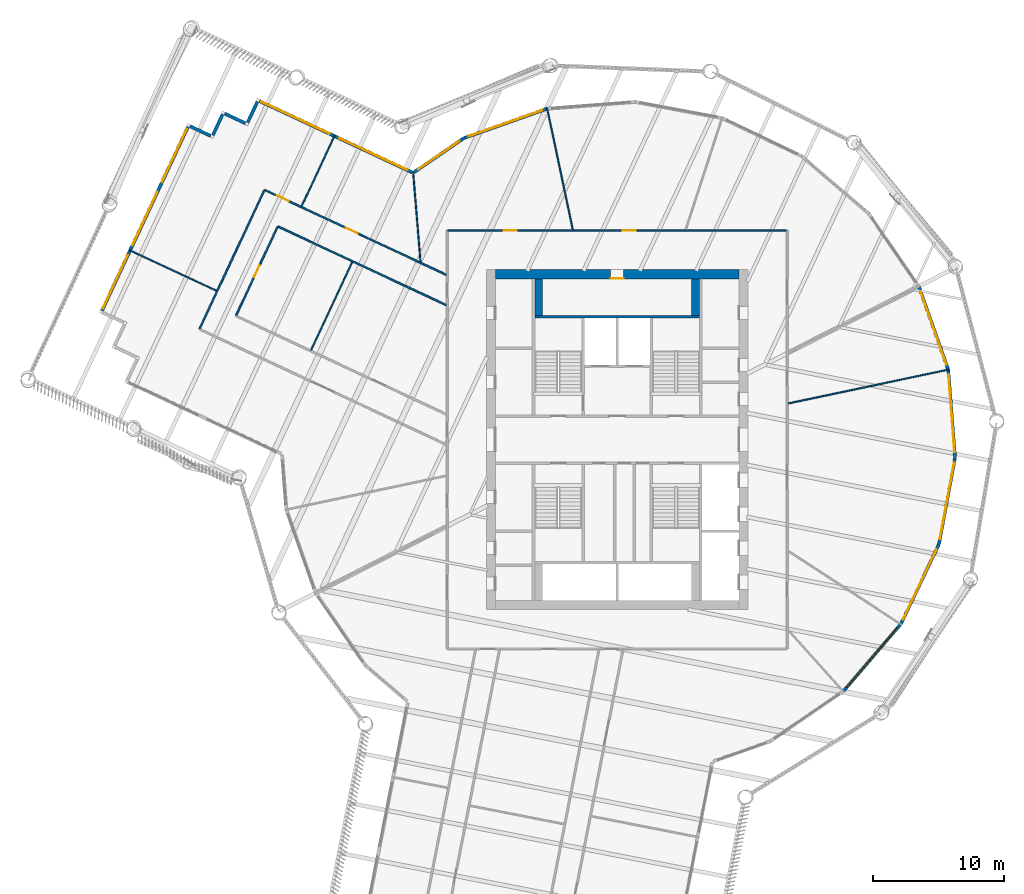
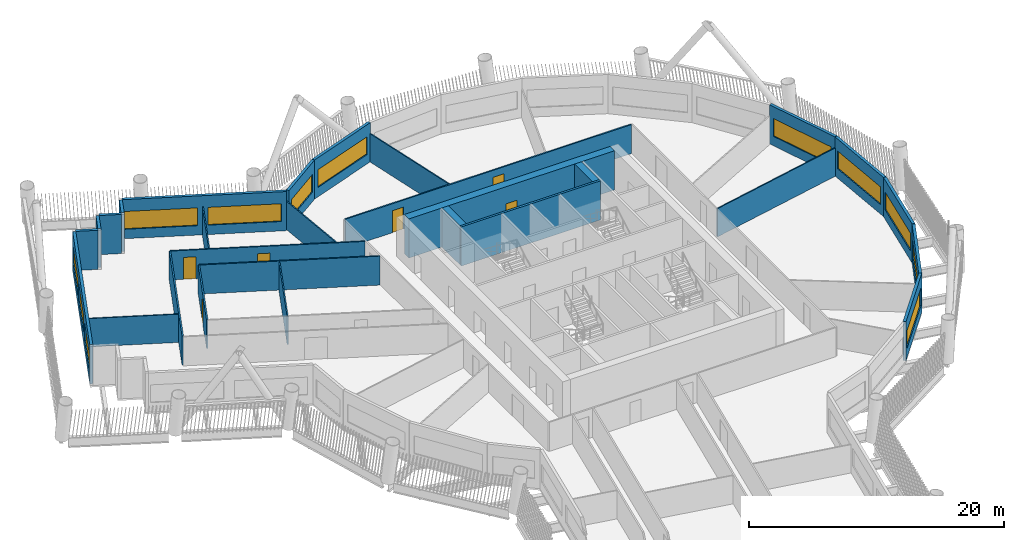
# One storey, part 6 of 24: 28 walls, 12 windows, 6 doors, 18 openings.
"""IFC4 building model written with IfcOpenShell, lengths in metres."""

from ifc_helpers import new_model, si_unit, direction, frame, frame_2d, origin, place, context, subcontext, project, spatial, rectangle, extrude, material, layer, layer_set, type_object, element, fill, save


model = new_model("IFC4")

# Units and contexts
model_context = context("Model", 3, precision=1e-05, world=origin(), true_north=direction((0.0, 1.0)))
body_context = subcontext(model_context, "Body", "Model", "MODEL_VIEW")
ifc_project = project(units=[si_unit("LENGTHUNIT", "METRE"), si_unit("AREAUNIT", "SQUARE_METRE"), si_unit("VOLUMEUNIT", "CUBIC_METRE"), si_unit("PLANEANGLEUNIT", "RADIAN"), si_unit("MASSUNIT", "GRAM", prefix="KILO")], contexts=[model_context])

# Site, building, storey
site_placement = place(None, origin())
site = spatial("IfcSite", under=ifc_project, at=site_placement, CompositionType="ELEMENT")
building_placement = place(site_placement, origin())
building = spatial("IfcBuilding", under=site, at=building_placement, Name="Tarsis Ring Headquarters", CompositionType="ELEMENT")
storey_placement = place(building_placement, frame((0.0, 0.0, 178.800048828125)))
storey = spatial("IfcBuildingStorey", under=building, at=storey_placement, Name="L41", CompositionType="ELEMENT", Elevation=178.800048828125)

# Wall, opening, door
ifc_material_1 = material(Name="Concrete C60/75", Category="concrete")
ifc_layer_1 = layer(ifc_material_1, 0.699951171875)
ifc_layer_set_1 = layer_set([ifc_layer_1], Name="Core wall 700 C60/75")
wall_type_1 = type_object("IfcWallType", Name="Core wall 700 C60/75", PredefinedType="SHEAR", material=ifc_layer_set_1)
wall_1_placement = place(storey_placement, frame((-9.300048828125, 12.64990234375, 0.0), z_axis=(0.0, 0.0, 1.0), x_axis=(1.0, 0.0, 0.0)))
wall_1 = element("IfcWall", 1, at=wall_1_placement, inside=storey, type_object=wall_type_1, Name="Core wall ON", PredefinedType="SHEAR", context=body_context, shape_type="SweptSolid", body=[
    extrude(rectangle(XDim=18.60009765625, YDim=0.699951171875, at=frame_2d((9.300048828125, 0.0))), origin(), (0.0, 0.0, 1.0), 3.739990234375),
])
opening_1_placement = place(wall_1_placement, frame((8.800048828125, 0.0, 0.0)))
opening_1 = element("IfcOpeningElement", 2, at=opening_1_placement, cuts=wall_1, Name="Opening L41-C15", PredefinedType="OPENING", context=body_context, shape_type="SweptSolid", body=[
    extrude(rectangle(XDim=1.0, YDim=2.10009765625, at=frame_2d((0.5, 1.050048828125))), frame((0.0, 0.35986328125, 0.0), z_axis=(0.0, -1.0, 0.0), x_axis=(1.0, 0.0, 0.0)), (0.0, 0.0, 1.0), 0.719970703125),
])
ifc_material_2 = material(Name="Steel S355", Category="steel")
door_type_1 = type_object("IfcDoorType", Name="Core room door 1000x2100", OperationType="SINGLE_SWING_LEFT", PredefinedType="DOOR", material=ifc_material_2)
door_1_placement = place(opening_1_placement, origin())
door_1 = element("IfcDoor", 3, at=door_1_placement, inside=storey, type_object=door_type_1, Name="Core room door L41", OperationType="SINGLE_SWING_LEFT", OverallHeight=2.10009765625, OverallWidth=1.0, PredefinedType="DOOR", context=body_context, shape_type="SweptSolid", body=[
    extrude(rectangle(XDim=1.0, YDim=2.10009765625, at=frame_2d((0.5, 1.050048828125))), frame((0.0, -0.2998046875, 0.0), z_axis=(0.0, -1.0, 0.0), x_axis=(1.0, 0.0, 0.0)), (0.0, 0.0, 1.0), 0.050048828125),
])
fill(opening_1, door_1)

# Walls
ifc_material_3 = material(Name="Gypsum board on steel studs", Category="steel")
ifc_layer_2 = layer(ifc_material_3, 0.10009765625)
ifc_layer_set_2 = layer_set([ifc_layer_2], Name="FL partition 100 unrated")
wall_type_2 = type_object("IfcWallType", Name="FL partition 100 unrated", PredefinedType="PARTITIONING", material=ifc_layer_set_2)
wall_2_placement = place(storey_placement, frame((13.068603515625, 2.763427734375, 0.0), z_axis=(0.0, 0.0, 1.0), x_axis=(0.978361329404, 0.2069036228, 0.0)))
element("IfcWall", 4, at=wall_2_placement, inside=storey, type_object=wall_type_2, Name="Partition PW3", PredefinedType="PARTITIONING", context=body_context, shape_type="SweptSolid", body=[
    extrude(rectangle(XDim=12.59033203125, YDim=0.10009765625, at=frame_2d((6.295166015625, 0.0))), origin(), (0.0, 0.0, 1.0), 2.699951171875),
])
wall_3_placement = place(storey_placement, frame((-5.368408203125, 25.386474609375, 0.0), z_axis=(0.0, 0.0, 1.0), x_axis=(0.20689536208, -0.978363076342, 0.0)))
element("IfcWall", 5, at=wall_3_placement, inside=storey, type_object=wall_type_2, Name="Partition PW3", PredefinedType="PARTITIONING", context=body_context, shape_type="SweptSolid", body=[
    extrude(rectangle(XDim=9.52392578125, YDim=0.10009765625, at=frame_2d((4.761962890625, 0.0))), origin(), (0.0, 0.0, 1.0), 2.699951171875),
])
wall_4_placement = place(storey_placement, frame((-23.40283203125, 6.84716796875, 0.0), z_axis=(0.0, 0.0, 1.0), x_axis=(0.42356623141, 0.905865137649, 0.0)))
element("IfcWall", 6, at=wall_4_placement, inside=storey, type_object=wall_type_2, Name="Partition PW3", PredefinedType="PARTITIONING", context=body_context, shape_type="SweptSolid", body=[
    extrude(rectangle(XDim=7.419921875, YDim=0.10009765625, at=frame_2d((3.7099609375, 0.0))), origin(), (0.0, 0.0, 1.0), 2.699951171875),
])
wall_5_placement = place(storey_placement, frame((-37.3203125, 14.502685546875, 0.0), z_axis=(0.0, 0.0, 1.0), x_axis=(0.905880369528, -0.423533654039, 0.0)))
element("IfcWall", 7, at=wall_5_placement, inside=storey, type_object=wall_type_2, Name="Partition PW3", PredefinedType="PARTITIONING", context=body_context, shape_type="SweptSolid", body=[
    extrude(rectangle(XDim=7.35986328125, YDim=0.10009765625, at=frame_2d((3.679931640625, 0.0))), origin(), (0.0, 0.0, 1.0), 2.699951171875),
])
wall_6_placement = place(storey_placement, frame((-15.605224609375, 20.4609375, 0.0), z_axis=(0.0, 0.0, 1.0), x_axis=(0.081757463051, -0.996652254919, 0.0)))
element("IfcWall", 8, at=wall_6_placement, inside=storey, type_object=wall_type_2, Name="Partition PW3", PredefinedType="PARTITIONING", context=body_context, shape_type="SweptSolid", body=[
    extrude(rectangle(XDim=6.87109375, YDim=0.10009765625, at=frame_2d((3.435546875, 0.0))), origin(), (0.0, 0.0, 1.0), 2.699951171875),
])
wall_7_placement = place(storey_placement, frame((-24.13037109375, 17.851318359375, 0.0), z_axis=(0.0, 0.0, 1.0), x_axis=(0.423589255606, 0.905854371594, 0.0)))
element("IfcWall", 9, at=wall_7_placement, inside=storey, type_object=wall_type_2, Name="Partition PW3", PredefinedType="PARTITIONING", context=body_context, shape_type="SweptSolid", body=[
    extrude(rectangle(XDim=6.0, YDim=0.10009765625, at=frame_2d((3.0, 0.0))), origin(), (0.0, 0.0, 1.0), 2.699951171875),
])

# Wall, openings, doors
ifc_layer_3 = layer(ifc_material_3, 0.125)
ifc_layer_set_3 = layer_set([ifc_layer_3], Name="FL partition 125 EI 60 H2770")
wall_type_3 = type_object("IfcWallType", Name="FL partition 125 EI 60 H2770", PredefinedType="PARTITIONING", material=ifc_layer_set_3)
wall_8_placement = place(storey_placement, frame((-12.93994140625, 16.0, 0.0), z_axis=(0.0, 0.0, 1.0), x_axis=(1.0, 0.0, 0.0)))
wall_8 = element("IfcWall", 10, at=wall_8_placement, inside=storey, type_object=wall_type_3, Name="Partition PW1", PredefinedType="PARTITIONING", context=body_context, shape_type="SweptSolid", body=[
    extrude(rectangle(XDim=25.8798828125, YDim=0.125, at=frame_2d((12.93994140625, 0.0))), origin(), (0.0, 0.0, 1.0), 2.77001953125),
])
opening_2_placement = place(wall_8_placement, frame((4.248291015625, 0.0, 0.0)))
opening_2 = element("IfcOpeningElement", 11, at=opening_2_placement, cuts=wall_8, Name="Opening D41.04", PredefinedType="OPENING", context=body_context, shape_type="SweptSolid", body=[
    extrude(rectangle(XDim=1.0, YDim=2.10009765625, at=frame_2d((0.5, 1.050048828125))), frame((0.0, 0.072509765625, 0.0), z_axis=(0.0, -1.0, 0.0), x_axis=(1.0, 0.0, 0.0)), (0.0, 0.0, 1.0), 0.14501953125),
])
opening_3_placement = place(wall_8_placement, frame((13.35693359375, 0.0, 0.0)))
opening_3 = element("IfcOpeningElement", 12, at=opening_3_placement, cuts=wall_8, Name="Opening D41.05", PredefinedType="OPENING", context=body_context, shape_type="SweptSolid", body=[
    extrude(rectangle(XDim=1.0, YDim=2.10009765625, at=frame_2d((0.5, 1.050048828125))), frame((0.0, 0.072509765625, 0.0), z_axis=(0.0, -1.0, 0.0), x_axis=(1.0, 0.0, 0.0)), (0.0, 0.0, 1.0), 0.14501953125),
])
ifc_material_4 = material(Name="Fire-rated timber door leaf in steel frame", Category="steel")
door_type_2 = type_object("IfcDoorType", Name="FL door FD60-1000", OperationType="NOTDEFINED", PredefinedType="DOOR", material=ifc_material_4)
door_2_placement = place(opening_2_placement, origin())
door_2 = element("IfcDoor", 13, at=door_2_placement, inside=storey, type_object=door_type_2, Name="Door D41.04", OperationType="SINGLE_SWING_LEFT", OverallHeight=2.10009765625, OverallWidth=1.0, PredefinedType="DOOR", context=body_context, shape_type="SweptSolid", body=[
    extrude(rectangle(XDim=1.0, YDim=2.10009765625, at=frame_2d((0.5, 1.050048828125))), frame((0.0, 0.02490234375, 0.0), z_axis=(0.0, -1.0, 0.0), x_axis=(1.0, 0.0, 0.0)), (0.0, 0.0, 1.0), 0.050048828125),
])
fill(opening_2, door_2)
door_3_placement = place(opening_3_placement, origin())
door_3 = element("IfcDoor", 14, at=door_3_placement, inside=storey, type_object=door_type_2, Name="Door D41.05", OperationType="SINGLE_SWING_RIGHT", OverallHeight=2.10009765625, OverallWidth=1.0, PredefinedType="DOOR", context=body_context, shape_type="SweptSolid", body=[
    extrude(rectangle(XDim=1.0, YDim=2.10009765625, at=frame_2d((0.5, 1.050048828125))), frame((0.0, 0.02490234375, 0.0), z_axis=(0.0, -1.0, 0.0), x_axis=(1.0, 0.0, 0.0)), (0.0, 0.0, 1.0), 0.050048828125),
])
fill(opening_3, door_3)

wall_9_placement = place(storey_placement, frame((-26.968017578125, 19.100830078125, 0.0), z_axis=(0.0, 0.0, 1.0), x_axis=(0.905862671889, -0.4235715048, 0.0)))
wall_9 = element("IfcWall", 15, at=wall_9_placement, inside=storey, type_object=wall_type_3, Name="Partition PW1", PredefinedType="PARTITIONING", context=body_context, shape_type="SweptSolid", body=[
    extrude(rectangle(XDim=15.32958984375, YDim=0.125, at=frame_2d((7.664794921875, 0.0))), origin(), (0.0, 0.0, 1.0), 2.77001953125),
])
opening_4_placement = place(wall_9_placement, frame((1.0478515625, 0.0, 0.0)))
opening_4 = element("IfcOpeningElement", 16, at=opening_4_placement, cuts=wall_9, Name="Opening D41.02", PredefinedType="OPENING", context=body_context, shape_type="SweptSolid", body=[
    extrude(rectangle(XDim=1.0, YDim=2.10009765625, at=frame_2d((0.5, 1.050048828125))), frame((0.0, 0.072509765625, 0.0), z_axis=(0.0, -1.0, 0.0), x_axis=(1.0, 0.0, 0.0)), (0.0, 0.0, 1.0), 0.14501953125),
])
opening_5_placement = place(wall_9_placement, frame((6.86328125, 0.0, 0.0)))
opening_5 = element("IfcOpeningElement", 17, at=opening_5_placement, cuts=wall_9, Name="Opening D41.03", PredefinedType="OPENING", context=body_context, shape_type="SweptSolid", body=[
    extrude(rectangle(XDim=1.0, YDim=2.10009765625, at=frame_2d((0.5, 1.050048828125))), frame((0.0, 0.072509765625, 0.0), z_axis=(0.0, -1.0, 0.0), x_axis=(1.0, 0.0, 0.0)), (0.0, 0.0, 1.0), 0.14501953125),
])
door_4_placement = place(opening_4_placement, origin())
door_4 = element("IfcDoor", 18, at=door_4_placement, inside=storey, type_object=door_type_2, Name="Door D41.02", OperationType="SINGLE_SWING_LEFT", OverallHeight=2.10009765625, OverallWidth=1.0, PredefinedType="DOOR", context=body_context, shape_type="SweptSolid", body=[
    extrude(rectangle(XDim=1.0, YDim=2.10009765625, at=frame_2d((0.5, 1.050048828125))), frame((0.0, 0.02490234375, 0.0), z_axis=(0.0, -1.0, 0.0), x_axis=(1.0, 0.0, 0.0)), (0.0, 0.0, 1.0), 0.050048828125),
])
fill(opening_4, door_4)
door_5_placement = place(opening_5_placement, origin())
door_5 = element("IfcDoor", 19, at=door_5_placement, inside=storey, type_object=door_type_2, Name="Door D41.03", OperationType="SINGLE_SWING_RIGHT", OverallHeight=2.10009765625, OverallWidth=1.0, PredefinedType="DOOR", context=body_context, shape_type="SweptSolid", body=[
    extrude(rectangle(XDim=1.0, YDim=2.10009765625, at=frame_2d((0.5, 1.050048828125))), frame((0.0, 0.02490234375, 0.0), z_axis=(0.0, -1.0, 0.0), x_axis=(1.0, 0.0, 0.0)), (0.0, 0.0, 1.0), 0.050048828125),
])
fill(opening_5, door_5)

# Walls
wall_10_placement = place(storey_placement, frame((-25.955322265625, 16.30908203125, 0.0), z_axis=(0.0, 0.0, 1.0), x_axis=(0.90586557507, -0.423565295915, 0.0)))
element("IfcWall", 20, at=wall_10_placement, inside=storey, type_object=wall_type_3, Name="Partition PW1", PredefinedType="PARTITIONING", context=body_context, shape_type="SweptSolid", body=[
    extrude(rectangle(XDim=14.211669921875, YDim=0.125, at=frame_2d((7.10595703125, 0.0))), origin(), (0.0, 0.0, 1.0), 2.77001953125),
])
wall_11_placement = place(storey_placement, frame((-31.923828125, 8.502197265625, 0.0), z_axis=(0.0, 0.0, 1.0), x_axis=(0.423559365173, 0.905868348147, 0.0)))
element("IfcWall", 21, at=wall_11_placement, inside=storey, type_object=wall_type_3, Name="Partition PW1", PredefinedType="PARTITIONING", context=body_context, shape_type="SweptSolid", body=[
    extrude(rectangle(XDim=11.639892578125, YDim=0.125, at=frame_2d((5.81982421875, 0.0))), origin(), (0.0, 0.0, 1.0), 2.77001953125),
])

# Wall, opening, door
wall_12_placement = place(storey_placement, frame((-29.132080078125, 9.51513671875, 0.0), z_axis=(0.0, 0.0, 1.0), x_axis=(0.423576973735, 0.905860114654, 0.0)))
wall_12 = element("IfcWall", 22, at=wall_12_placement, inside=storey, type_object=wall_type_3, Name="Partition PW1", PredefinedType="PARTITIONING", context=body_context, shape_type="SweptSolid", body=[
    extrude(rectangle(XDim=7.43994140625, YDim=0.125, at=frame_2d((3.719970703125, 0.0))), origin(), (0.0, 0.0, 1.0), 2.77001953125),
])
opening_6_placement = place(wall_12_placement, frame((3.219970703125, 0.0, 0.0)))
opening_6 = element("IfcOpeningElement", 23, at=opening_6_placement, cuts=wall_12, Name="Opening D41.18", PredefinedType="OPENING", context=body_context, shape_type="SweptSolid", body=[
    extrude(rectangle(XDim=1.0, YDim=2.10009765625, at=frame_2d((0.5, 1.050048828125))), frame((0.0, 0.072509765625, 0.0), z_axis=(0.0, -1.0, 0.0), x_axis=(1.0, 0.0, 0.0)), (0.0, 0.0, 1.0), 0.14501953125),
])
door_6_placement = place(opening_6_placement, origin())
door_6 = element("IfcDoor", 24, at=door_6_placement, inside=storey, type_object=door_type_2, Name="Door D41.18", OperationType="SINGLE_SWING_LEFT", OverallHeight=2.10009765625, OverallWidth=1.0, PredefinedType="DOOR", context=body_context, shape_type="SweptSolid", body=[
    extrude(rectangle(XDim=1.0, YDim=2.10009765625, at=frame_2d((0.5, 1.050048828125))), frame((0.0, 0.02490234375, 0.0), z_axis=(0.0, -1.0, 0.0), x_axis=(1.0, 0.0, 0.0)), (0.0, 0.0, 1.0), 0.050048828125),
])
fill(opening_6, door_6)

# Wall, opening, window
ifc_material_5 = material(Name="Terracotta clad insulated panel wall", Category="masonry")
ifc_layer_4 = layer(ifc_material_5, 0.25)
ifc_layer_set_4 = layer_set([ifc_layer_4], Name="Facade wall terracotta panel 250")
wall_type_4 = type_object("IfcWallType", Name="Facade wall terracotta panel 250", PredefinedType="STANDARD", material=ifc_layer_set_4)
wall_13_placement = place(storey_placement, frame((17.303466796875, -19.233642578125, 0.0), z_axis=(0.0, 0.0, 1.0), x_axis=(0.650267758701, 0.759705101993, 0.0)))
wall_13 = element("IfcWall", 25, at=wall_13_placement, inside=storey, type_object=wall_type_4, Name="External wall L41-19", PredefinedType="STANDARD", context=body_context, shape_type="SweptSolid", body=[
    extrude(rectangle(XDim=6.7216796875, YDim=0.25, at=frame_2d((3.36083984375, 0.0))), origin(), (0.0, 0.0, 1.0), 3.739990234375),
])
opening_7_placement = place(wall_13_placement, frame((0.3857421875, 0.0, 0.89990234375)))
opening_7 = element("IfcOpeningElement", 26, at=opening_7_placement, cuts=wall_13, Name="Opening WN07", PredefinedType="OPENING", context=body_context, shape_type="SweptSolid", body=[
    extrude(rectangle(XDim=5.949951171875, YDim=1.699951171875, at=frame_2d((2.97509765625, 0.85009765625))), frame((0.0, 0.135009765625, 0.0), z_axis=(0.0, -1.0, 0.0), x_axis=(1.0, 0.0, 0.0)), (0.0, 0.0, 1.0), 0.27001953125),
])
ifc_material_6 = material(Name="Aluminium framed double glazing", Category="aluminium")
window_type_1 = type_object("IfcWindowType", Name="Facade window 5950 x 1700", PartitioningType="SINGLE_PANEL", PredefinedType="WINDOW", material=ifc_material_6)
window_1_placement = place(opening_7_placement, origin())
window_1 = element("IfcWindow", 27, at=window_1_placement, inside=storey, type_object=window_type_1, Name="Window L41-19.1", OverallHeight=1.699951171875, OverallWidth=5.949951171875, PartitioningType="SINGLE_PANEL", PredefinedType="WINDOW", context=body_context, shape_type="SweptSolid", body=[
    extrude(rectangle(XDim=5.949951171875, YDim=1.699951171875, at=frame_2d((2.97509765625, 0.85009765625))), frame((0.0, 0.030029296875, 0.0), z_axis=(0.0, -1.0, 0.0), x_axis=(1.0, 0.0, 0.0)), (0.0, 0.0, 1.0), 0.06005859375),
])
fill(opening_7, window_1)

wall_14_placement = place(storey_placement, frame((21.692138671875, -14.099853515625, 0.0), z_axis=(0.0, 0.0, 1.0), x_axis=(0.431438788875, 0.902142212433, 0.0)))
wall_14 = element("IfcWall", 28, at=wall_14_placement, inside=storey, type_object=wall_type_4, Name="External wall L41-20", PredefinedType="STANDARD", context=body_context, shape_type="SweptSolid", body=[
    extrude(rectangle(XDim=6.721435546875, YDim=0.25, at=frame_2d((3.36083984375, 0.0))), origin(), (0.0, 0.0, 1.0), 3.739990234375),
])
opening_8_placement = place(wall_14_placement, frame((0.3857421875, 0.0, 0.89990234375)))
opening_8 = element("IfcOpeningElement", 29, at=opening_8_placement, cuts=wall_14, Name="Opening WN07", PredefinedType="OPENING", context=body_context, shape_type="SweptSolid", body=[
    extrude(rectangle(XDim=5.949951171875, YDim=1.699951171875, at=frame_2d((2.97509765625, 0.85009765625))), frame((0.0, 0.135009765625, 0.0), z_axis=(0.0, -1.0, 0.0), x_axis=(1.0, 0.0, 0.0)), (0.0, 0.0, 1.0), 0.27001953125),
])
window_2_placement = place(opening_8_placement, origin())
window_2 = element("IfcWindow", 30, at=window_2_placement, inside=storey, type_object=window_type_1, Name="Window L41-20.1", OverallHeight=1.699951171875, OverallWidth=5.949951171875, PartitioningType="SINGLE_PANEL", PredefinedType="WINDOW", context=body_context, shape_type="SweptSolid", body=[
    extrude(rectangle(XDim=5.949951171875, YDim=1.699951171875, at=frame_2d((2.97509765625, 0.85009765625))), frame((0.0, 0.030029296875, 0.0), z_axis=(0.0, -1.0, 0.0), x_axis=(1.0, 0.0, 0.0)), (0.0, 0.0, 1.0), 0.06005859375),
])
fill(opening_8, window_2)

wall_15_placement = place(storey_placement, frame((24.602294921875, -8.005126953125, 0.0), z_axis=(0.0, 0.0, 1.0), x_axis=(0.183246731258, 0.983066953713, 0.0)))
wall_15 = element("IfcWall", 31, at=wall_15_placement, inside=storey, type_object=wall_type_4, Name="External wall L41-21", PredefinedType="STANDARD", context=body_context, shape_type="SweptSolid", body=[
    extrude(rectangle(XDim=6.721435546875, YDim=0.25, at=frame_2d((3.36083984375, 0.0))), origin(), (0.0, 0.0, 1.0), 3.739990234375),
])
opening_9_placement = place(wall_15_placement, frame((0.3857421875, 0.0, 0.89990234375)))
opening_9 = element("IfcOpeningElement", 32, at=opening_9_placement, cuts=wall_15, Name="Opening WN07", PredefinedType="OPENING", context=body_context, shape_type="SweptSolid", body=[
    extrude(rectangle(XDim=5.949951171875, YDim=1.699951171875, at=frame_2d((2.97509765625, 0.85009765625))), frame((0.0, 0.135009765625, 0.0), z_axis=(0.0, -1.0, 0.0), x_axis=(1.0, 0.0, 0.0)), (0.0, 0.0, 1.0), 0.27001953125),
])
window_3_placement = place(opening_9_placement, origin())
window_3 = element("IfcWindow", 33, at=window_3_placement, inside=storey, type_object=window_type_1, Name="Window L41-21.1", OverallHeight=1.699951171875, OverallWidth=5.949951171875, PartitioningType="SINGLE_PANEL", PredefinedType="WINDOW", context=body_context, shape_type="SweptSolid", body=[
    extrude(rectangle(XDim=5.949951171875, YDim=1.699951171875, at=frame_2d((2.97509765625, 0.85009765625))), frame((0.0, 0.030029296875, 0.0), z_axis=(0.0, -1.0, 0.0), x_axis=(1.0, 0.0, 0.0)), (0.0, 0.0, 1.0), 0.06005859375),
])
fill(opening_9, window_3)

wall_16_placement = place(storey_placement, frame((25.835693359375, -1.36474609375, 0.0), z_axis=(0.0, 0.0, 1.0), x_axis=(-0.077401979272, 0.996999966702, 0.0)))
wall_16 = element("IfcWall", 34, at=wall_16_placement, inside=storey, type_object=wall_type_4, Name="External wall L41-22", PredefinedType="STANDARD", context=body_context, shape_type="SweptSolid", body=[
    extrude(rectangle(XDim=6.7216796875, YDim=0.25, at=frame_2d((3.36083984375, 0.0))), origin(), (0.0, 0.0, 1.0), 3.739990234375),
])
opening_10_placement = place(wall_16_placement, frame((0.3857421875, 0.0, 0.89990234375)))
opening_10 = element("IfcOpeningElement", 35, at=opening_10_placement, cuts=wall_16, Name="Opening WN07", PredefinedType="OPENING", context=body_context, shape_type="SweptSolid", body=[
    extrude(rectangle(XDim=5.949951171875, YDim=1.699951171875, at=frame_2d((2.97509765625, 0.85009765625))), frame((0.0, 0.135009765625, 0.0), z_axis=(0.0, -1.0, 0.0), x_axis=(1.0, 0.0, 0.0)), (0.0, 0.0, 1.0), 0.27001953125),
])
window_4_placement = place(opening_10_placement, origin())
window_4 = element("IfcWindow", 36, at=window_4_placement, inside=storey, type_object=window_type_1, Name="Window L41-22.1", OverallHeight=1.699951171875, OverallWidth=5.949951171875, PartitioningType="SINGLE_PANEL", PredefinedType="WINDOW", context=body_context, shape_type="SweptSolid", body=[
    extrude(rectangle(XDim=5.949951171875, YDim=1.699951171875, at=frame_2d((2.97509765625, 0.85009765625))), frame((0.0, 0.030029296875, 0.0), z_axis=(0.0, -1.0, 0.0), x_axis=(1.0, 0.0, 0.0)), (0.0, 0.0, 1.0), 0.06005859375),
])
fill(opening_10, window_4)

wall_17_placement = place(storey_placement, frame((25.30859375, 5.368408203125, 0.0), z_axis=(0.0, 0.0, 1.0), x_axis=(-0.332818217816, 0.94299100414, 0.0)))
wall_17 = element("IfcWall", 37, at=wall_17_placement, inside=storey, type_object=wall_type_4, Name="External wall L41-23", PredefinedType="STANDARD", context=body_context, shape_type="SweptSolid", body=[
    extrude(rectangle(XDim=6.7216796875, YDim=0.25, at=frame_2d((3.36083984375, 0.0))), origin(), (0.0, 0.0, 1.0), 3.739990234375),
])
opening_11_placement = place(wall_17_placement, frame((0.3857421875, 0.0, 0.89990234375)))
opening_11 = element("IfcOpeningElement", 38, at=opening_11_placement, cuts=wall_17, Name="Opening WN07", PredefinedType="OPENING", context=body_context, shape_type="SweptSolid", body=[
    extrude(rectangle(XDim=5.949951171875, YDim=1.699951171875, at=frame_2d((2.97509765625, 0.85009765625))), frame((0.0, 0.135009765625, 0.0), z_axis=(0.0, -1.0, 0.0), x_axis=(1.0, 0.0, 0.0)), (0.0, 0.0, 1.0), 0.27001953125),
])
window_5_placement = place(opening_11_placement, origin())
window_5 = element("IfcWindow", 39, at=window_5_placement, inside=storey, type_object=window_type_1, Name="Window L41-23.1", OverallHeight=1.699951171875, OverallWidth=5.949951171875, PartitioningType="SINGLE_PANEL", PredefinedType="WINDOW", context=body_context, shape_type="SweptSolid", body=[
    extrude(rectangle(XDim=5.949951171875, YDim=1.699951171875, at=frame_2d((2.97509765625, 0.85009765625))), frame((0.0, 0.030029296875, 0.0), z_axis=(0.0, -1.0, 0.0), x_axis=(1.0, 0.0, 0.0)), (0.0, 0.0, 1.0), 0.06005859375),
])
fill(opening_11, window_5)

wall_18_placement = place(storey_placement, frame((-5.368408203125, 25.30859375, 0.0), z_axis=(0.0, 0.0, 1.0), x_axis=(-0.94299100414, -0.332818217816, 0.0)))
wall_18 = element("IfcWall", 40, at=wall_18_placement, inside=storey, type_object=wall_type_4, Name="External wall L41-29", PredefinedType="STANDARD", context=body_context, shape_type="SweptSolid", body=[
    extrude(rectangle(XDim=6.7216796875, YDim=0.25, at=frame_2d((3.36083984375, 0.0))), origin(), (0.0, 0.0, 1.0), 3.739990234375),
])
opening_12_placement = place(wall_18_placement, frame((0.3857421875, 0.0, 0.89990234375)))
opening_12 = element("IfcOpeningElement", 41, at=opening_12_placement, cuts=wall_18, Name="Opening WN07", PredefinedType="OPENING", context=body_context, shape_type="SweptSolid", body=[
    extrude(rectangle(XDim=5.949951171875, YDim=1.699951171875, at=frame_2d((2.97509765625, 0.85009765625))), frame((0.0, 0.135009765625, 0.0), z_axis=(0.0, -1.0, 0.0), x_axis=(1.0, 0.0, 0.0)), (0.0, 0.0, 1.0), 0.27001953125),
])
window_6_placement = place(opening_12_placement, origin())
window_6 = element("IfcWindow", 42, at=window_6_placement, inside=storey, type_object=window_type_1, Name="Window L41-29.1", OverallHeight=1.699951171875, OverallWidth=5.949951171875, PartitioningType="SINGLE_PANEL", PredefinedType="WINDOW", context=body_context, shape_type="SweptSolid", body=[
    extrude(rectangle(XDim=5.949951171875, YDim=1.699951171875, at=frame_2d((2.97509765625, 0.85009765625))), frame((0.0, 0.030029296875, 0.0), z_axis=(0.0, -1.0, 0.0), x_axis=(1.0, 0.0, 0.0)), (0.0, 0.0, 1.0), 0.06005859375),
])
fill(opening_12, window_6)

wall_19_placement = place(storey_placement, frame((-11.73583984375, 23.056884765625, 0.0), z_axis=(0.0, 0.0, 1.0), x_axis=(-0.82473237437, -0.565523218503, 0.0)))
wall_19 = element("IfcWall", 43, at=wall_19_placement, inside=storey, type_object=wall_type_4, Name="External wall L41-30", PredefinedType="STANDARD", context=body_context, shape_type="SweptSolid", body=[
    extrude(rectangle(XDim=4.617919921875, YDim=0.25, at=frame_2d((2.30908203125, 0.0))), origin(), (0.0, 0.0, 1.0), 3.739990234375),
])
opening_13_placement = place(wall_19_placement, frame((0.367431640625, 0.0, 0.89990234375)))
opening_13 = element("IfcOpeningElement", 44, at=opening_13_placement, cuts=wall_19, Name="Opening WN02", PredefinedType="OPENING", context=body_context, shape_type="SweptSolid", body=[
    extrude(rectangle(XDim=3.85009765625, YDim=1.699951171875, at=frame_2d((1.925048828125, 0.85009765625))), frame((0.0, 0.135009765625, 0.0), z_axis=(0.0, -1.0, 0.0), x_axis=(1.0, 0.0, 0.0)), (0.0, 0.0, 1.0), 0.27001953125),
])
window_type_2 = type_object("IfcWindowType", Name="Facade window 3850 x 1700", PartitioningType="SINGLE_PANEL", PredefinedType="WINDOW", material=ifc_material_6)
window_7_placement = place(opening_13_placement, origin())
window_7 = element("IfcWindow", 45, at=window_7_placement, inside=storey, type_object=window_type_2, Name="Window L41-30.1", OverallHeight=1.699951171875, OverallWidth=3.85009765625, PartitioningType="SINGLE_PANEL", PredefinedType="WINDOW", context=body_context, shape_type="SweptSolid", body=[
    extrude(rectangle(XDim=3.85009765625, YDim=1.699951171875, at=frame_2d((1.925048828125, 0.85009765625))), frame((0.0, 0.030029296875, 0.0), z_axis=(0.0, -1.0, 0.0), x_axis=(1.0, 0.0, 0.0)), (0.0, 0.0, 1.0), 0.06005859375),
])
fill(opening_13, window_7)

# Wall, openings, windows
wall_20_placement = place(storey_placement, frame((-15.66796875, 20.43505859375, 0.0), z_axis=(0.0, 0.0, 1.0), x_axis=(-0.90586283363, 0.423571158895, 0.0)))
wall_20 = element("IfcWall", 46, at=wall_20_placement, inside=storey, type_object=wall_type_4, Name="External wall L41-31", PredefinedType="STANDARD", context=body_context, shape_type="SweptSolid", body=[
    extrude(rectangle(XDim=12.9013671875, YDim=0.25, at=frame_2d((6.45068359375, 0.0))), origin(), (0.0, 0.0, 1.0), 3.739990234375),
])
opening_14_placement = place(wall_20_placement, frame((0.412841796875, 0.0, 0.89990234375)))
opening_14 = element("IfcOpeningElement", 47, at=opening_14_placement, cuts=wall_20, Name="Opening WN06", PredefinedType="OPENING", context=body_context, shape_type="SweptSolid", body=[
    extrude(rectangle(XDim=5.75, YDim=1.699951171875, at=frame_2d((2.875, 0.85009765625))), frame((0.0, 0.135009765625, 0.0), z_axis=(0.0, -1.0, 0.0), x_axis=(1.0, 0.0, 0.0)), (0.0, 0.0, 1.0), 0.27001953125),
])
opening_15_placement = place(wall_20_placement, frame((6.988525390625, 0.0, 0.89990234375)))
opening_15 = element("IfcOpeningElement", 48, at=opening_15_placement, cuts=wall_20, Name="Opening WN06", PredefinedType="OPENING", context=body_context, shape_type="SweptSolid", body=[
    extrude(rectangle(XDim=5.75, YDim=1.699951171875, at=frame_2d((2.875, 0.85009765625))), frame((0.0, 0.135009765625, 0.0), z_axis=(0.0, -1.0, 0.0), x_axis=(1.0, 0.0, 0.0)), (0.0, 0.0, 1.0), 0.27001953125),
])
window_type_3 = type_object("IfcWindowType", Name="Facade window 5750 x 1700", PartitioningType="SINGLE_PANEL", PredefinedType="WINDOW", material=ifc_material_6)
window_8_placement = place(opening_14_placement, origin())
window_8 = element("IfcWindow", 49, at=window_8_placement, inside=storey, type_object=window_type_3, Name="Window L41-31.1", OverallHeight=1.699951171875, OverallWidth=5.75, PartitioningType="SINGLE_PANEL", PredefinedType="WINDOW", context=body_context, shape_type="SweptSolid", body=[
    extrude(rectangle(XDim=5.75, YDim=1.699951171875, at=frame_2d((2.875, 0.85009765625))), frame((0.0, 0.030029296875, 0.0), z_axis=(0.0, -1.0, 0.0), x_axis=(1.0, 0.0, 0.0)), (0.0, 0.0, 1.0), 0.06005859375),
])
fill(opening_14, window_8)
window_9_placement = place(opening_15_placement, origin())
window_9 = element("IfcWindow", 50, at=window_9_placement, inside=storey, type_object=window_type_3, Name="Window L41-31.2", OverallHeight=1.699951171875, OverallWidth=5.75, PartitioningType="SINGLE_PANEL", PredefinedType="WINDOW", context=body_context, shape_type="SweptSolid", body=[
    extrude(rectangle(XDim=5.75, YDim=1.699951171875, at=frame_2d((2.875, 0.85009765625))), frame((0.0, 0.030029296875, 0.0), z_axis=(0.0, -1.0, 0.0), x_axis=(1.0, 0.0, 0.0)), (0.0, 0.0, 1.0), 0.06005859375),
])
fill(opening_15, window_9)

# Walls
for number, where, z_axis, x_axis, name in (
    (51, (-27.52099609375, 25.83935546875, 0.0), (0.0, 0.0, 1.0), (-0.423565096174, -0.905865668465, 0.0), "External wall L41-32"),
    (52, (-28.428466796875, 24.19384765625, 0.0), (0.0, 0.0, 1.0), (-0.905865668465, 0.423565096174, 0.0), "External wall L41-33"),
    (53, (-30.179931640625, 24.874755859375, 0.0), (0.0, 0.0, 1.0), (-0.423565096174, -0.905865668465, 0.0), "External wall L41-34"),
):
    element("IfcWall", number, at=place(storey_placement, frame(where, z_axis=z_axis, x_axis=x_axis)), inside=storey, type_object=wall_type_4, Name=name, PredefinedType="STANDARD", context=body_context, shape_type="SweptSolid", body=[
        extrude(rectangle(XDim=1.75, YDim=0.25, at=frame_2d((0.875, 0.0))), origin(), (0.0, 0.0, 1.0), 3.739990234375),
    ])
wall_21_placement = place(storey_placement, frame((-31.087158203125, 23.229248046875, 0.0), z_axis=(0.0, 0.0, 1.0), x_axis=(-0.905890693598, 0.423511571568, 0.0)))
element("IfcWall", 54, at=wall_21_placement, inside=storey, type_object=wall_type_4, Name="External wall L41-35", PredefinedType="STANDARD", context=body_context, shape_type="SweptSolid", body=[
    extrude(rectangle(XDim=1.750244140625, YDim=0.25, at=frame_2d((0.875, 0.0))), origin(), (0.0, 0.0, 1.0), 3.739990234375),
])

# Wall, openings, windows
wall_22_placement = place(storey_placement, frame((-32.838623046875, 23.91015625, 0.0), z_axis=(0.0, 0.0, 1.0), x_axis=(-0.423577756589, -0.905859748594, 0.0)))
wall_22 = element("IfcWall", 55, at=wall_22_placement, inside=storey, type_object=wall_type_4, Name="External wall L41-36", PredefinedType="STANDARD", context=body_context, shape_type="SweptSolid", body=[
    extrude(rectangle(XDim=15.5, YDim=0.25, at=frame_2d((7.75, 0.0))), origin(), (0.0, 0.0, 1.0), 3.739990234375),
])
opening_16_placement = place(wall_22_placement, frame((0.166748046875, 0.0, 0.89990234375)))
opening_16 = element("IfcOpeningElement", 56, at=opening_16_placement, cuts=wall_22, Name="Opening WN04", PredefinedType="OPENING", context=body_context, shape_type="SweptSolid", body=[
    extrude(rectangle(XDim=4.5, YDim=1.699951171875, at=frame_2d((2.25, 0.85009765625))), frame((0.0, 0.135009765625, 0.0), z_axis=(0.0, -1.0, 0.0), x_axis=(1.0, 0.0, 0.0)), (0.0, 0.0, 1.0), 0.27001953125),
])
opening_17_placement = place(wall_22_placement, frame((5.5, 0.0, 0.89990234375)))
opening_17 = element("IfcOpeningElement", 57, at=opening_17_placement, cuts=wall_22, Name="Opening WN04", PredefinedType="OPENING", context=body_context, shape_type="SweptSolid", body=[
    extrude(rectangle(XDim=4.5, YDim=1.699951171875, at=frame_2d((2.25, 0.85009765625))), frame((0.0, 0.135009765625, 0.0), z_axis=(0.0, -1.0, 0.0), x_axis=(1.0, 0.0, 0.0)), (0.0, 0.0, 1.0), 0.27001953125),
])
opening_18_placement = place(wall_22_placement, frame((10.833251953125, 0.0, 0.89990234375)))
opening_18 = element("IfcOpeningElement", 58, at=opening_18_placement, cuts=wall_22, Name="Opening WN04", PredefinedType="OPENING", context=body_context, shape_type="SweptSolid", body=[
    extrude(rectangle(XDim=4.5, YDim=1.699951171875, at=frame_2d((2.25, 0.85009765625))), frame((0.0, 0.135009765625, 0.0), z_axis=(0.0, -1.0, 0.0), x_axis=(1.0, 0.0, 0.0)), (0.0, 0.0, 1.0), 0.27001953125),
])
window_type_4 = type_object("IfcWindowType", Name="Facade window 4500 x 1700", PartitioningType="SINGLE_PANEL", PredefinedType="WINDOW", material=ifc_material_6)
window_10_placement = place(opening_16_placement, origin())
window_10 = element("IfcWindow", 59, at=window_10_placement, inside=storey, type_object=window_type_4, Name="Window L41-36.1", OverallHeight=1.699951171875, OverallWidth=4.5, PartitioningType="SINGLE_PANEL", PredefinedType="WINDOW", context=body_context, shape_type="SweptSolid", body=[
    extrude(rectangle(XDim=4.5, YDim=1.699951171875, at=frame_2d((2.25, 0.85009765625))), frame((0.0, 0.030029296875, 0.0), z_axis=(0.0, -1.0, 0.0), x_axis=(1.0, 0.0, 0.0)), (0.0, 0.0, 1.0), 0.06005859375),
])
fill(opening_16, window_10)
window_11_placement = place(opening_17_placement, origin())
window_11 = element("IfcWindow", 60, at=window_11_placement, inside=storey, type_object=window_type_4, Name="Window L41-36.2", OverallHeight=1.699951171875, OverallWidth=4.5, PartitioningType="SINGLE_PANEL", PredefinedType="WINDOW", context=body_context, shape_type="SweptSolid", body=[
    extrude(rectangle(XDim=4.5, YDim=1.699951171875, at=frame_2d((2.25, 0.85009765625))), frame((0.0, 0.030029296875, 0.0), z_axis=(0.0, -1.0, 0.0), x_axis=(1.0, 0.0, 0.0)), (0.0, 0.0, 1.0), 0.06005859375),
])
fill(opening_17, window_11)
window_12_placement = place(opening_18_placement, origin())
window_12 = element("IfcWindow", 61, at=window_12_placement, inside=storey, type_object=window_type_4, Name="Window L41-36.3", OverallHeight=1.699951171875, OverallWidth=4.5, PartitioningType="SINGLE_PANEL", PredefinedType="WINDOW", context=body_context, shape_type="SweptSolid", body=[
    extrude(rectangle(XDim=4.5, YDim=1.699951171875, at=frame_2d((2.25, 0.85009765625))), frame((0.0, 0.030029296875, 0.0), z_axis=(0.0, -1.0, 0.0), x_axis=(1.0, 0.0, 0.0)), (0.0, 0.0, 1.0), 0.06005859375),
])
fill(opening_18, window_12)

# Walls
ifc_material_7 = material(Name="Concrete C32/40", Category="concrete")
ifc_layer_5 = layer(ifc_material_7, 0.60009765625)
ifc_layer_set_5 = layer_set([ifc_layer_5], Name="Shaft end wall 600 C32/40")
wall_type_5 = type_object("IfcWallType", Name="Shaft end wall 600 C32/40", PredefinedType="SOLIDWALL", material=ifc_layer_set_5)
for number, where, z_axis, x_axis, name in (
    (62, (-6.0, 9.5, 0.0), (0.0, 0.0, 1.0), (0.0, 1.0, 0.0), "Core shaft wall NNE1"),
    (63, (6.0, 9.5, 0.0), (0.0, 0.0, 1.0), (0.0, 1.0, 0.0), "Core shaft wall NNE2"),
):
    element("IfcWall", number, at=place(storey_placement, frame(where, z_axis=z_axis, x_axis=x_axis)), inside=storey, type_object=wall_type_5, Name=name, PredefinedType="SOLIDWALL", context=body_context, shape_type="SweptSolid", body=[
        extrude(rectangle(XDim=2.800048828125, YDim=0.60009765625, at=frame_2d((1.39990234375, 0.0))), origin(), (0.0, 0.0, 1.0), 3.739990234375),
    ])
ifc_layer_6 = layer(ifc_material_7, 0.199951171875)
ifc_layer_set_6 = layer_set([ifc_layer_6], Name="Shaft wall 200 C32/40")
wall_type_6 = type_object("IfcWallType", Name="Shaft wall 200 C32/40", PredefinedType="SOLIDWALL", material=ifc_layer_set_6)
wall_23_placement = place(storey_placement, frame((-6.300048828125, 9.39990234375, 0.0), z_axis=(0.0, 0.0, 1.0), x_axis=(1.0, 0.0, 0.0)))
element("IfcWall", 64, at=wall_23_placement, inside=storey, type_object=wall_type_6, Name="Core shaft wall NB", PredefinedType="SOLIDWALL", context=body_context, shape_type="SweptSolid", body=[
    extrude(rectangle(XDim=12.60009765625, YDim=0.199951171875, at=frame_2d((6.300048828125, 0.0))), origin(), (0.0, 0.0, 1.0), 3.739990234375),
])

save(model, "model.ifc")
